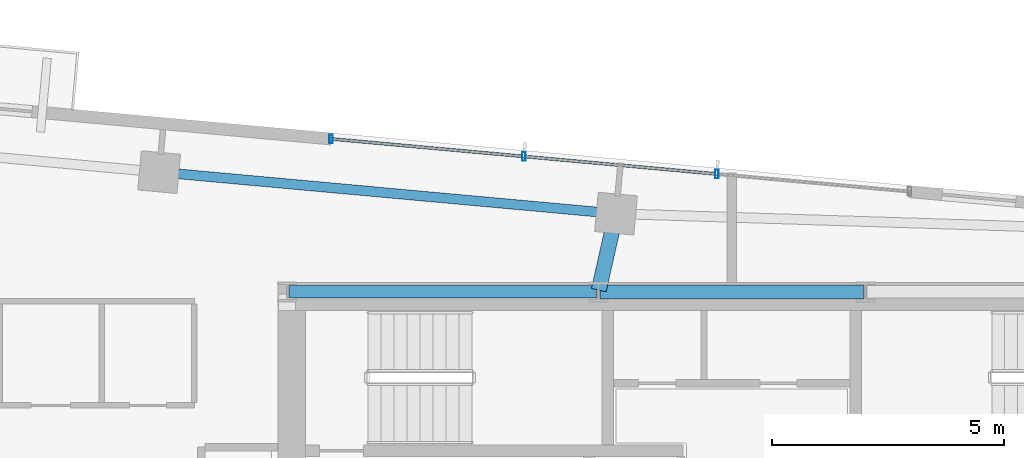
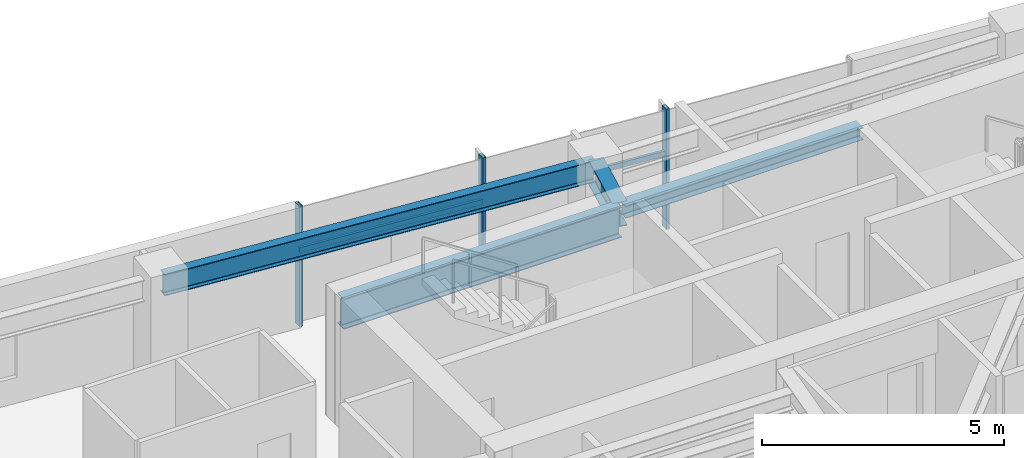
# One storey, part 10 of 22: 5 members, 4 beams, 1 element without a shape of its own.
"""IFC4 building model written with IfcOpenShell, lengths in metres."""

from ifc_helpers import new_model, si_unit, direction, frame, origin, origin_2d, place, context, subcontext, project, spatial, hollow_rectangle, i_section, extrude, source, transform, mapped, material, material_profile, profile_set, type_object, type_shapes, element, aggregate, save


model = new_model("IFC4")

# Units and contexts
model_context = context("Model", 3, precision=1e-05, world=origin(), true_north=direction((0.0, 1.0)))
body_context = subcontext(model_context, "Body", "Model", "MODEL_VIEW")
ifc_project = project(units=[si_unit("LENGTHUNIT", "METRE"), si_unit("AREAUNIT", "SQUARE_METRE"), si_unit("VOLUMEUNIT", "CUBIC_METRE"), si_unit("PLANEANGLEUNIT", "RADIAN"), si_unit("MASSUNIT", "GRAM", prefix="KILO")], contexts=[model_context])

# Site, building, storey
site_placement = place(None, origin())
site = spatial("IfcSite", under=ifc_project, at=site_placement, CompositionType="ELEMENT")
building_placement = place(site_placement, origin())
building = spatial("IfcBuilding", under=site, at=building_placement, Name="Astriad Promenade Condominiums", CompositionType="ELEMENT")
storey_placement = place(building_placement, frame((0.0, 0.0, 249.60009765625)))
storey = spatial("IfcBuildingStorey", under=building, at=storey_placement, Name="L72", CompositionType="ELEMENT", Elevation=249.60009765625)

# Beams
ifc_material_1 = material(Name="Steel ASTM A992 Grade 50", Category="steel")
ifc_material_profile_1 = material_profile(ifc_material_1, i_section(OverallWidth=0.267822265625, OverallDepth=0.76953125, WebThickness=0.015625, FlangeThickness=0.025390625, FilletRadius=0.021484375, at=origin_2d()), Name="W30X132")
ifc_profile_set_1 = profile_set([ifc_material_profile_1], Name="Steel ASTM A992 Grade 50")
beam_type_1 = type_object("IfcBeamType", Name="STEEL FLOOR GIRDER W30X132", PredefinedType="BEAM", material=ifc_profile_set_1)
shared_shape_1 = source(origin(), body_context, "Body", "SweptSolid", [
    extrude(i_section(OverallWidth=0.267822265625, OverallDepth=0.76953125, WebThickness=0.015625, FlangeThickness=0.025390625, FilletRadius=0.021484375, at=origin_2d()), origin(), (0.0, 0.0, 1.0), 6.64013671875),
])
type_shapes(beam_type_1, [shared_shape_1])
beam_1_placement = place(storey_placement, frame((26.43994140625, 24.0, 2.655029296875), z_axis=(1.0, 0.0, 0.0), x_axis=(0.0, 1.0, 0.0)))
element("IfcBeam", 1, at=beam_1_placement, inside=storey, type_object=beam_type_1, Name="Core Ring Beam CG-N1-L72", PredefinedType="BEAM", context=body_context, shape_type="MappedRepresentation", body=[
    mapped(shared_shape_1, transform((0.0, 0.0, 0.0), scale=1.0)),
])
ifc_material_profile_2 = material_profile(ifc_material_1, i_section(OverallWidth=0.3046875, OverallDepth=0.307861328125, WebThickness=0.010009765625, FlangeThickness=0.015380859375, FilletRadius=0.01513671875, at=origin_2d()), Name="W12X65")
ifc_profile_set_2 = profile_set([ifc_material_profile_2], Name="Steel ASTM A992 Grade 50")
beam_type_2 = type_object("IfcBeamType", Name="STEEL OPENING LINTEL W12X65", PredefinedType="LINTEL", material=ifc_profile_set_2)
shared_shape_2 = source(origin(), body_context, "Body", "SweptSolid", [
    extrude(i_section(OverallWidth=0.3046875, OverallDepth=0.307861328125, WebThickness=0.010009765625, FlangeThickness=0.015380859375, FilletRadius=0.01513671875, at=origin_2d()), origin(), (0.0, 0.0, 1.0), 5.68017578125),
])
type_shapes(beam_type_2, [shared_shape_2])
beam_2_placement = place(storey_placement, frame((33.159912109375, 24.0, 2.885986328125), z_axis=(1.0, 0.0, 0.0), x_axis=(0.0, 1.0, 0.0)))
element("IfcBeam", 2, at=beam_2_placement, inside=storey, type_object=beam_type_2, Name="Core Ring Beam CG-N2-L72", PredefinedType="LINTEL", context=body_context, shape_type="MappedRepresentation", body=[
    mapped(shared_shape_2, transform((0.0, 0.0, 0.0), scale=1.0)),
])
ifc_material_profile_3 = material_profile(ifc_material_1, i_section(OverallWidth=0.210693359375, OverallDepth=0.53955078125, WebThickness=0.01171875, FlangeThickness=0.018798828125, FilletRadius=0.0166015625, at=origin_2d()), Name="W21X73")
ifc_profile_set_3 = profile_set([ifc_material_profile_3], Name="Steel ASTM A992 Grade 50")
beam_type_3 = type_object("IfcBeamType", Name="STEEL SPANDREL BEAM W21X73", PredefinedType="SPANDREL", material=ifc_profile_set_3)
shared_shape_3 = source(origin(), body_context, "Body", "SweptSolid", [
    extrude(i_section(OverallWidth=0.210693359375, OverallDepth=0.53955078125, WebThickness=0.01171875, FlangeThickness=0.018798828125, FilletRadius=0.0166015625, at=origin_2d()), origin(), (0.0, 0.0, 1.0), 9.820068359375),
])
type_shapes(beam_type_3, [shared_shape_3])
beam_3_placement = place(storey_placement, frame((33.4599609375, 25.69189453125, 2.77001953125), z_axis=(-0.995885663174, 0.090618683965, 0.0), x_axis=(-0.090618683965, -0.995885663174, 0.0)))
element("IfcBeam", 3, at=beam_3_placement, inside=storey, type_object=beam_type_3, Name="Perimeter Spandrel Beam SP-N2-L72", PredefinedType="SPANDREL", context=body_context, shape_type="MappedRepresentation", body=[
    mapped(shared_shape_3, transform((0.0, 0.0, 0.0), scale=1.0)),
])
ifc_material_profile_4 = material_profile(ifc_material_1, i_section(OverallWidth=0.326416015625, OverallDepth=0.621826171875, WebThickness=0.015380859375, FlangeThickness=0.0244140625, FilletRadius=0.017822265625, at=origin_2d()), Name="W24X131")
ifc_profile_set_4 = profile_set([ifc_material_profile_4], Name="Steel ASTM A992 Grade 50")
beam_type_4 = type_object("IfcBeamType", Name="STEEL FLOOR GIRDER W24X131", PredefinedType="BEAM", material=ifc_profile_set_4)
shared_shape_4 = source(origin(), body_context, "Body", "SweptSolid", [
    extrude(i_section(OverallWidth=0.326416015625, OverallDepth=0.621826171875, WebThickness=0.015380859375, FlangeThickness=0.0244140625, FilletRadius=0.017822265625, at=origin_2d()), origin(), (0.0, 0.0, 1.0), 1.650390625),
])
type_shapes(beam_type_4, [shared_shape_4])
beam_4_placement = place(storey_placement, frame((33.490966796875, 25.649169921875, 2.72900390625), z_axis=(-0.219388986766, -0.975637469804, 0.0), x_axis=(0.975637469804, -0.219388986766, 0.0)))
element("IfcBeam", 4, at=beam_4_placement, inside=storey, type_object=beam_type_4, Name="Primary Floor Girder PG-NC-L72", PredefinedType="BEAM", context=body_context, shape_type="MappedRepresentation", body=[
    mapped(shared_shape_4, transform((0.0, 0.0, 0.0), scale=1.0)),
])

# Curtain wall, members
ifc_material_2 = material(Name="Anodised aluminium Black Dark Glass Unitised", Category="aluminium")
curtain_wall_type = type_object("IfcCurtainWallType", Name="CW-B5-DARK", PredefinedType="USERDEFINED", material=ifc_material_2)
curtain_wall_placement = place(storey_placement, origin())
curtain_wall = element("IfcCurtainWall", 5, at=curtain_wall_placement, inside=storey, type_object=curtain_wall_type, Name="CW-L72-N", ObjectType="UNITISED_CURTAIN_WALL", PredefinedType="USERDEFINED")
ifc_material_3 = material(Name="Anodised aluminium 6063-T6 Black", Category="aluminium")
ifc_material_profile_5 = material_profile(ifc_material_3, hollow_rectangle(XDim=0.074951171875, YDim=0.18505859375, WallThickness=0.00439453125, at=origin_2d()), Name="ALU-MUL-75X185")
ifc_profile_set_5 = profile_set([ifc_material_profile_5], Name="Anodised aluminium 6063-T6 Black")
member_type_1 = type_object("IfcMemberType", Name="MUL-ALU-MUL-75X185", PredefinedType="MULLION", material=ifc_profile_set_5)
shared_shape_5 = source(origin(), body_context, "Body", "SweptSolid", [
    extrude(hollow_rectangle(XDim=0.074951171875, YDim=0.18505859375, WallThickness=0.00439453125, at=origin_2d()), origin(), (0.0, 0.0, 1.0), 3.039794921875),
])
type_shapes(member_type_1, [shared_shape_5])
member_1_placement = place(storey_placement, frame((27.3505859375, 27.30224609375, 0.0), z_axis=(0.0, 0.0, 1.0), x_axis=(1.0, 0.0, 0.0)))
member_1 = element("IfcMember", 6, at=member_1_placement, type_object=member_type_1, Name="CW-L72-N-MUL-00", PredefinedType="MULLION", context=body_context, shape_type="MappedRepresentation", body=[
    mapped(shared_shape_5, transform((0.0, 0.0, 0.0), scale=1.0)),
])
member_2_placement = place(storey_placement, frame((31.513427734375, 26.92333984375, 0.0), z_axis=(0.0, 0.0, 1.0), x_axis=(1.0, 0.0, 0.0)))
member_2 = element("IfcMember", 7, at=member_2_placement, type_object=member_type_1, Name="CW-L72-N-MUL-01", PredefinedType="MULLION", context=body_context, shape_type="MappedRepresentation", body=[
    mapped(shared_shape_5, transform((0.0, 0.0, 0.0), scale=1.0)),
])
member_3_placement = place(storey_placement, frame((35.67626953125, 26.54443359375, 0.0), z_axis=(0.0, 0.0, 1.0), x_axis=(1.0, 0.0, 0.0)))
member_3 = element("IfcMember", 8, at=member_3_placement, type_object=member_type_1, Name="CW-L72-N-MUL-02", PredefinedType="MULLION", context=body_context, shape_type="MappedRepresentation", body=[
    mapped(shared_shape_5, transform((0.0, 0.0, 0.0), scale=1.0)),
])
ifc_material_profile_6 = material_profile(ifc_material_3, hollow_rectangle(XDim=0.06494140625, YDim=0.1298828125, WallThickness=0.00390625, at=origin_2d()), Name="ALU-TRN-65X130")
ifc_profile_set_6 = profile_set([ifc_material_profile_6], Name="Anodised aluminium 6063-T6 Black")
member_type_2 = type_object("IfcMemberType", Name="TRN-ALU-TRN-65X130", PredefinedType="USERDEFINED", material=ifc_profile_set_6)
shared_shape_6 = source(origin(), body_context, "Body", "SweptSolid", [
    extrude(hollow_rectangle(XDim=0.06494140625, YDim=0.1298828125, WallThickness=0.00390625, at=origin_2d()), origin(), (0.0, 0.0, 1.0), 4.179931640625),
])
type_shapes(member_type_2, [shared_shape_6])
member_4_placement = place(storey_placement, frame((27.3505859375, 27.30224609375, 1.884765625), z_axis=(0.995883146811, -0.090646334165, 0.0), x_axis=(0.090646334165, 0.995883146811, 0.0)))
member_4 = element("IfcMember", 9, at=member_4_placement, type_object=member_type_2, Name="CW-L72-N-TRN-00-0", ObjectType="TRANSOM", PredefinedType="USERDEFINED", context=body_context, shape_type="MappedRepresentation", body=[
    mapped(shared_shape_6, transform((0.0, 0.0, 0.0), scale=1.0)),
])
member_5_placement = place(storey_placement, frame((31.513427734375, 26.92333984375, 1.884765625), z_axis=(0.995883146811, -0.090646334165, 0.0), x_axis=(0.090646334165, 0.995883146811, 0.0)))
member_5 = element("IfcMember", 10, at=member_5_placement, type_object=member_type_2, Name="CW-L72-N-TRN-01-0", ObjectType="TRANSOM", PredefinedType="USERDEFINED", context=body_context, shape_type="MappedRepresentation", body=[
    mapped(shared_shape_6, transform((0.0, 0.0, 0.0), scale=1.0)),
])
aggregate(curtain_wall, [member_1, member_2, member_3, member_4, member_5])

save(model, "model.ifc")
